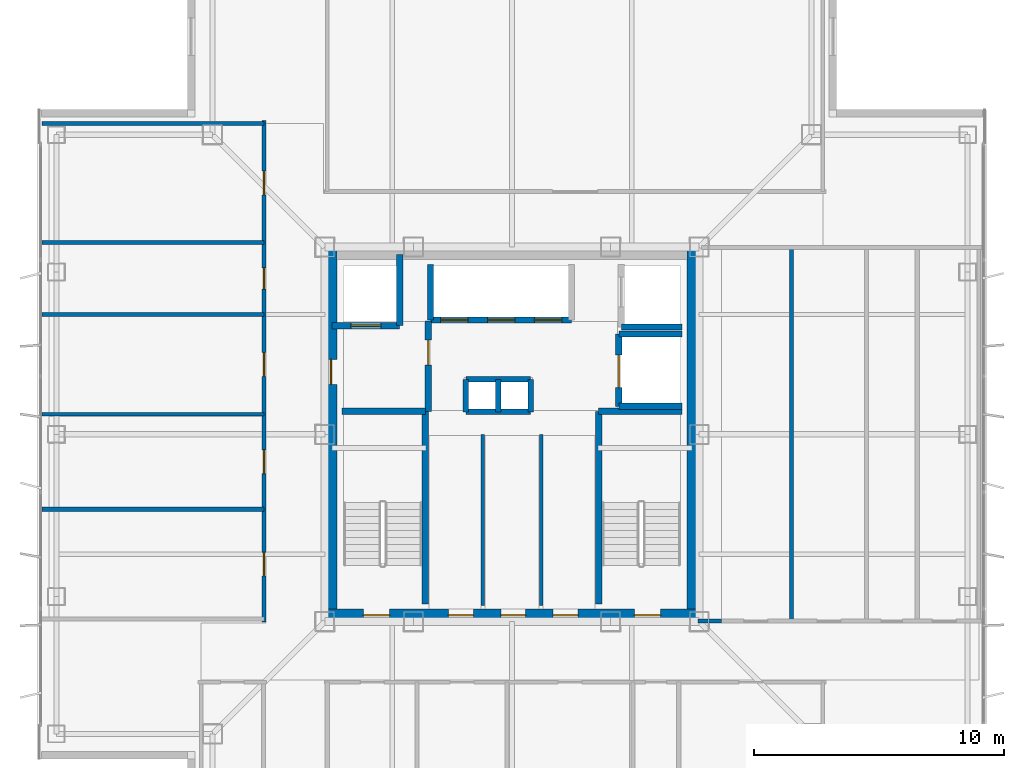
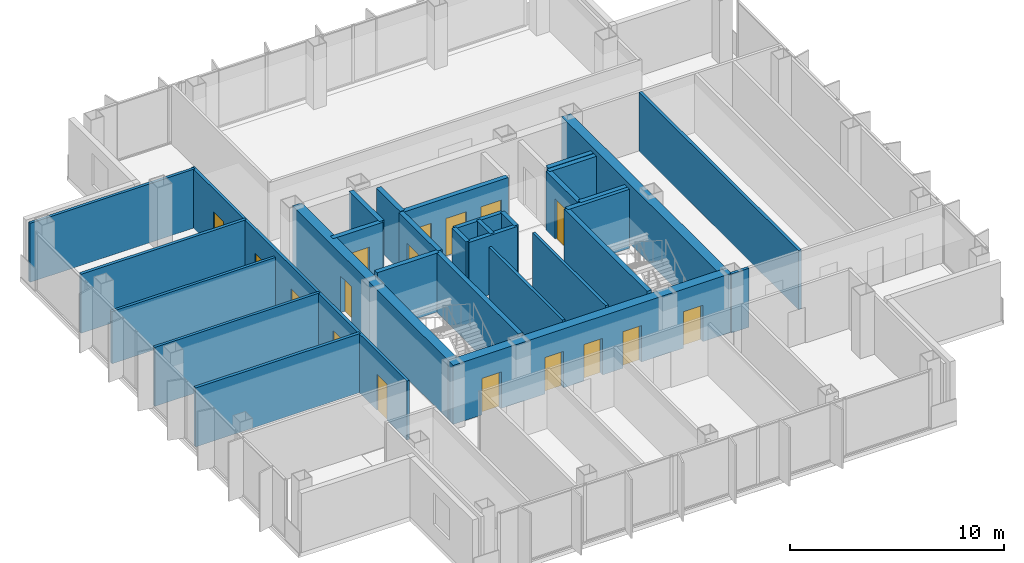
# One storey, part 8 of 15: 31 walls, 17 doors, 17 openings.
"""IFC4 building model written with IfcOpenShell, lengths in metres."""

from ifc_helpers import new_model, si_unit, direction, frame, frame_2d, origin, place, context, subcontext, project, spatial, rectangle, extrude, material, layer, layer_set, type_object, element, fill, save


model = new_model("IFC4")

# Units and contexts
model_context = context("Model", 3, precision=1e-05, world=origin(), true_north=direction((0.0, 1.0)))
body_context = subcontext(model_context, "Body", "Model", "MODEL_VIEW")
ifc_project = project(units=[si_unit("LENGTHUNIT", "METRE"), si_unit("AREAUNIT", "SQUARE_METRE"), si_unit("VOLUMEUNIT", "CUBIC_METRE"), si_unit("PLANEANGLEUNIT", "RADIAN"), si_unit("MASSUNIT", "GRAM", prefix="KILO")], contexts=[model_context])

# Site, building, storey
site_placement = place(None, origin())
site = spatial("IfcSite", under=ifc_project, at=site_placement, CompositionType="ELEMENT")
building_placement = place(site_placement, origin())
building = spatial("IfcBuilding", under=site, at=building_placement, Name="Trevonay Congress Spire", CompositionType="ELEMENT")
storey_placement = place(building_placement, frame((0.0, 0.0, 293.60009765625)))
storey = spatial("IfcBuildingStorey", under=building, at=storey_placement, Name="L77", CompositionType="ELEMENT", Elevation=293.60009765625)

# Wall, openings, doors
ifc_material_1 = material(Name="Concrete C50/60", Category="concrete")
ifc_layer_1 = layer(ifc_material_1, 0.5, Name="Concrete C50/60")
ifc_layer_set_1 = layer_set([ifc_layer_1], Name="Concrete C50/60")
wall_type_1 = type_object("IfcWallType", Name="WAL-CORE-500", PredefinedType="SHEAR", material=ifc_layer_set_1)
wall_1_placement = place(storey_placement, frame((-7.5, -7.25, 0.0), z_axis=(0.0, 0.0, 1.0), x_axis=(1.0, 0.0, 0.0)))
wall_1 = element("IfcWall", 1, at=wall_1_placement, inside=storey, type_object=wall_type_1, Name="L77 South structural core shear wall", PredefinedType="SHEAR", context=body_context, shape_type="SweptSolid", body=[
    extrude(rectangle(XDim=15.0, YDim=0.5, at=frame_2d((7.5, 0.0))), origin(), (0.0, 0.0, 1.0), 3.35986328125),
])
opening_1_placement = place(wall_1_placement, frame((1.550048828125, 0.0, 0.0)))
opening_1 = element("IfcOpeningElement", 2, at=opening_1_placement, cuts=wall_1, Name="Opening D05", PredefinedType="OPENING", context=body_context, shape_type="SweptSolid", body=[
    extrude(rectangle(XDim=1.050048828125, YDim=2.080078125, at=frame_2d((0.52490234375, 1.0400390625))), frame((0.0, 0.260009765625, 0.0), z_axis=(0.0, -1.0, 0.0), x_axis=(1.0, 0.0, 0.0)), (0.0, 0.0, 1.0), 0.52001953125),
])
opening_2_placement = place(wall_1_placement, frame((12.39990234375, 0.0, 0.0)))
opening_2 = element("IfcOpeningElement", 3, at=opening_2_placement, cuts=wall_1, Name="Opening D05", PredefinedType="OPENING", context=body_context, shape_type="SweptSolid", body=[
    extrude(rectangle(XDim=1.050048828125, YDim=2.080078125, at=frame_2d((0.52490234375, 1.0400390625))), frame((0.0, 0.260009765625, 0.0), z_axis=(0.0, -1.0, 0.0), x_axis=(1.0, 0.0, 0.0)), (0.0, 0.0, 1.0), 0.52001953125),
])
opening_3_placement = place(wall_1_placement, frame((4.949951171875, 0.0, 0.0)))
opening_3 = element("IfcOpeningElement", 4, at=opening_3_placement, cuts=wall_1, Name="Opening D06", PredefinedType="OPENING", context=body_context, shape_type="SweptSolid", body=[
    extrude(rectangle(XDim=1.0, YDim=2.080078125, at=frame_2d((0.5, 1.0400390625))), frame((0.0, 0.260009765625, 0.0), z_axis=(0.0, -1.0, 0.0), x_axis=(1.0, 0.0, 0.0)), (0.0, 0.0, 1.0), 0.52001953125),
])
opening_4_placement = place(wall_1_placement, frame((7.050048828125, 0.0, 0.0)))
opening_4 = element("IfcOpeningElement", 5, at=opening_4_placement, cuts=wall_1, Name="Opening D06", PredefinedType="OPENING", context=body_context, shape_type="SweptSolid", body=[
    extrude(rectangle(XDim=1.0, YDim=2.080078125, at=frame_2d((0.5, 1.0400390625))), frame((0.0, 0.260009765625, 0.0), z_axis=(0.0, -1.0, 0.0), x_axis=(1.0, 0.0, 0.0)), (0.0, 0.0, 1.0), 0.52001953125),
])
opening_5_placement = place(wall_1_placement, frame((9.14990234375, 0.0, 0.0)))
opening_5 = element("IfcOpeningElement", 6, at=opening_5_placement, cuts=wall_1, Name="Opening D06", PredefinedType="OPENING", context=body_context, shape_type="SweptSolid", body=[
    extrude(rectangle(XDim=1.0, YDim=2.080078125, at=frame_2d((0.5, 1.0400390625))), frame((0.0, 0.260009765625, 0.0), z_axis=(0.0, -1.0, 0.0), x_axis=(1.0, 0.0, 0.0)), (0.0, 0.0, 1.0), 0.52001953125),
])
ifc_material_2 = material(Name="Steel ASTM A572 Grade 50", Category="steel")
door_type_1 = type_object("IfcDoorType", Name="DOR-FIRE-100", OperationType="NOTDEFINED", PredefinedType="DOOR", material=ifc_material_2)
door_1_placement = place(opening_3_placement, origin())
door_1 = element("IfcDoor", 7, at=door_1_placement, inside=storey, type_object=door_type_1, Name="L77 South Core Room 1 Door", OperationType="SINGLE_SWING_LEFT", OverallHeight=2.080078125, OverallWidth=1.0, PredefinedType="DOOR", context=body_context, shape_type="SweptSolid", body=[
    extrude(rectangle(XDim=1.0, YDim=2.080078125, at=frame_2d((0.5, 1.0400390625))), frame((0.0, 0.02490234375, 0.0), z_axis=(0.0, -1.0, 0.0), x_axis=(1.0, 0.0, 0.0)), (0.0, 0.0, 1.0), 0.050048828125),
])
fill(opening_3, door_1)
door_2_placement = place(opening_4_placement, origin())
door_2 = element("IfcDoor", 8, at=door_2_placement, inside=storey, type_object=door_type_1, Name="L77 South Core Room 2 Door", OperationType="SINGLE_SWING_RIGHT", OverallHeight=2.080078125, OverallWidth=1.0, PredefinedType="DOOR", context=body_context, shape_type="SweptSolid", body=[
    extrude(rectangle(XDim=1.0, YDim=2.080078125, at=frame_2d((0.5, 1.0400390625))), frame((0.0, 0.02490234375, 0.0), z_axis=(0.0, -1.0, 0.0), x_axis=(1.0, 0.0, 0.0)), (0.0, 0.0, 1.0), 0.050048828125),
])
fill(opening_4, door_2)
door_3_placement = place(opening_5_placement, origin())
door_3 = element("IfcDoor", 9, at=door_3_placement, inside=storey, type_object=door_type_1, Name="L77 South Core Room 3 Door", OperationType="SINGLE_SWING_LEFT", OverallHeight=2.080078125, OverallWidth=1.0, PredefinedType="DOOR", context=body_context, shape_type="SweptSolid", body=[
    extrude(rectangle(XDim=1.0, YDim=2.080078125, at=frame_2d((0.5, 1.0400390625))), frame((0.0, 0.02490234375, 0.0), z_axis=(0.0, -1.0, 0.0), x_axis=(1.0, 0.0, 0.0)), (0.0, 0.0, 1.0), 0.050048828125),
])
fill(opening_5, door_3)
door_type_2 = type_object("IfcDoorType", Name="DOR-STAIR-110", OperationType="NOTDEFINED", PredefinedType="DOOR", material=ifc_material_2)
door_4_placement = place(opening_1_placement, origin())
door_4 = element("IfcDoor", 10, at=door_4_placement, inside=storey, type_object=door_type_2, Name="L77 Protected Stair ST-1 Door", OperationType="SINGLE_SWING_RIGHT", OverallHeight=2.080078125, OverallWidth=1.050048828125, PredefinedType="DOOR", context=body_context, shape_type="SweptSolid", body=[
    extrude(rectangle(XDim=1.050048828125, YDim=2.080078125, at=frame_2d((0.52490234375, 1.0400390625))), frame((0.0, 0.02490234375, 0.0), z_axis=(0.0, -1.0, 0.0), x_axis=(1.0, 0.0, 0.0)), (0.0, 0.0, 1.0), 0.050048828125),
])
fill(opening_1, door_4)
door_5_placement = place(opening_2_placement, origin())
door_5 = element("IfcDoor", 11, at=door_5_placement, inside=storey, type_object=door_type_2, Name="L77 Protected Stair ST-2 Door", OperationType="SINGLE_SWING_LEFT", OverallHeight=2.080078125, OverallWidth=1.050048828125, PredefinedType="DOOR", context=body_context, shape_type="SweptSolid", body=[
    extrude(rectangle(XDim=1.050048828125, YDim=2.080078125, at=frame_2d((0.52490234375, 1.0400390625))), frame((0.0, 0.02490234375, 0.0), z_axis=(0.0, -1.0, 0.0), x_axis=(1.0, 0.0, 0.0)), (0.0, 0.0, 1.0), 0.050048828125),
])
fill(opening_2, door_5)

# Wall, opening, door
wall_2_placement = place(storey_placement, frame((-7.25, -7.5, 0.0), z_axis=(0.0, 0.0, 1.0), x_axis=(0.0, 1.0, 0.0)))
wall_2 = element("IfcWall", 12, at=wall_2_placement, inside=storey, type_object=wall_type_1, Name="L77 West structural core shear wall", PredefinedType="SHEAR", context=body_context, shape_type="SweptSolid", body=[
    extrude(rectangle(XDim=15.0, YDim=0.5, at=frame_2d((7.5, 0.0))), origin(), (0.0, 0.0, 1.0), 3.35986328125),
])
opening_6_placement = place(wall_2_placement, frame((9.5, 0.0, 0.0)))
opening_6 = element("IfcOpeningElement", 13, at=opening_6_placement, cuts=wall_2, Name="Opening D06", PredefinedType="OPENING", context=body_context, shape_type="SweptSolid", body=[
    extrude(rectangle(XDim=1.0, YDim=2.080078125, at=frame_2d((0.5, 1.0400390625))), frame((0.0, 0.260009765625, 0.0), z_axis=(0.0, -1.0, 0.0), x_axis=(1.0, 0.0, 0.0)), (0.0, 0.0, 1.0), 0.52001953125),
])
door_6_placement = place(opening_6_placement, origin())
door_6 = element("IfcDoor", 14, at=door_6_placement, inside=storey, type_object=door_type_1, Name="L77 Firefighting Lift Lobby West Corridor Door", OperationType="SINGLE_SWING_RIGHT", OverallHeight=2.080078125, OverallWidth=1.0, PredefinedType="DOOR", context=body_context, shape_type="SweptSolid", body=[
    extrude(rectangle(XDim=1.0, YDim=2.080078125, at=frame_2d((0.5, 1.0400390625))), frame((0.0, 0.02490234375, 0.0), z_axis=(0.0, -1.0, 0.0), x_axis=(1.0, 0.0, 0.0)), (0.0, 0.0, 1.0), 0.050048828125),
])
fill(opening_6, door_6)

# Wall
wall_3_placement = place(storey_placement, frame((7.25, -7.5, 0.0), z_axis=(0.0, 0.0, 1.0), x_axis=(0.0, 1.0, 0.0)))
element("IfcWall", 15, at=wall_3_placement, inside=storey, type_object=wall_type_1, Name="L77 East structural core shear wall", PredefinedType="SHEAR", context=body_context, shape_type="SweptSolid", body=[
    extrude(rectangle(XDim=15.0, YDim=0.5, at=frame_2d((7.5, 0.0))), origin(), (0.0, 0.0, 1.0), 3.35986328125),
])

# Wall, openings, doors
ifc_material_3 = material(Name="Concrete C40/50", Category="concrete")
ifc_layer_2 = layer(ifc_material_3, 0.14990234375, Name="Concrete C40/50")
ifc_layer_set_2 = layer_set([ifc_layer_2], Name="Concrete C40/50")
wall_type_2 = type_object("IfcWallType", Name="WAL-CORR-150", PredefinedType="PARTITIONING", material=ifc_layer_set_2)
wall_4_placement = place(storey_placement, frame((-9.929931640625, -7.52001953125, 0.0), z_axis=(0.0, 0.0, 1.0), x_axis=(0.0, 1.0, 0.0)))
wall_4 = element("IfcWall", 16, at=wall_4_placement, inside=storey, type_object=wall_type_2, Name="L77 interior wall WP-L77NW-COR", PredefinedType="PARTITIONING", context=body_context, shape_type="SweptSolid", body=[
    extrude(rectangle(XDim=20.090087890625, YDim=0.14990234375, at=frame_2d((10.044921875, 0.0))), origin(), (0.0, 0.0, 1.0), 3.35986328125),
])
opening_7_placement = place(wall_4_placement, frame((1.844970703125, 0.0, 0.0)))
opening_7 = element("IfcOpeningElement", 17, at=opening_7_placement, cuts=wall_4, Name="Opening D07", PredefinedType="OPENING", context=body_context, shape_type="SweptSolid", body=[
    extrude(rectangle(XDim=0.949951171875, YDim=2.06005859375, at=frame_2d((0.47509765625, 1.030029296875))), frame((0.0, 0.0849609375, 0.0), z_axis=(0.0, -1.0, 0.0), x_axis=(1.0, 0.0, 0.0)), (0.0, 0.0, 1.0), 0.169921875),
])
opening_8_placement = place(wall_4_placement, frame((5.945068359375, 0.0, 0.0)))
opening_8 = element("IfcOpeningElement", 18, at=opening_8_placement, cuts=wall_4, Name="Opening D07", PredefinedType="OPENING", context=body_context, shape_type="SweptSolid", body=[
    extrude(rectangle(XDim=0.949951171875, YDim=2.06005859375, at=frame_2d((0.47509765625, 1.030029296875))), frame((0.0, 0.0849609375, 0.0), z_axis=(0.0, -1.0, 0.0), x_axis=(1.0, 0.0, 0.0)), (0.0, 0.0, 1.0), 0.169921875),
])
opening_9_placement = place(wall_4_placement, frame((9.844970703125, 0.0, 0.0)))
opening_9 = element("IfcOpeningElement", 19, at=opening_9_placement, cuts=wall_4, Name="Opening D07", PredefinedType="OPENING", context=body_context, shape_type="SweptSolid", body=[
    extrude(rectangle(XDim=0.949951171875, YDim=2.06005859375, at=frame_2d((0.47509765625, 1.030029296875))), frame((0.0, 0.0849609375, 0.0), z_axis=(0.0, -1.0, 0.0), x_axis=(1.0, 0.0, 0.0)), (0.0, 0.0, 1.0), 0.169921875),
])
opening_10_placement = place(wall_4_placement, frame((13.3349609375, 0.0, 0.0)))
opening_10 = element("IfcOpeningElement", 20, at=opening_10_placement, cuts=wall_4, Name="Opening D10", PredefinedType="OPENING", context=body_context, shape_type="SweptSolid", body=[
    extrude(rectangle(XDim=0.85009765625, YDim=2.050048828125, at=frame_2d((0.425048828125, 1.02490234375))), frame((0.0, 0.0849609375, 0.0), z_axis=(0.0, -1.0, 0.0), x_axis=(1.0, 0.0, 0.0)), (0.0, 0.0, 1.0), 0.169921875),
])
opening_11_placement = place(wall_4_placement, frame((17.110107421875, 0.0, 0.0)))
opening_11 = element("IfcOpeningElement", 21, at=opening_11_placement, cuts=wall_4, Name="Opening D07", PredefinedType="OPENING", context=body_context, shape_type="SweptSolid", body=[
    extrude(rectangle(XDim=0.949951171875, YDim=2.06005859375, at=frame_2d((0.47509765625, 1.030029296875))), frame((0.0, 0.0849609375, 0.0), z_axis=(0.0, -1.0, 0.0), x_axis=(1.0, 0.0, 0.0)), (0.0, 0.0, 1.0), 0.169921875),
])
ifc_material_4 = material(Name="Pale Anodised Aluminium EN AW-6063-T6", Category="aluminium")
door_type_3 = type_object("IfcDoorType", Name="DOR-OFFICE-95", OperationType="NOTDEFINED", PredefinedType="DOOR", material=ifc_material_4)
door_7_placement = place(opening_7_placement, origin())
door_7 = element("IfcDoor", 22, at=door_7_placement, inside=storey, type_object=door_type_3, Name="L77 Private Chef Table Dining Door", OperationType="SINGLE_SWING_LEFT", OverallHeight=2.06005859375, OverallWidth=0.949951171875, PredefinedType="DOOR", context=body_context, shape_type="SweptSolid", body=[
    extrude(rectangle(XDim=0.949951171875, YDim=2.06005859375, at=frame_2d((0.47509765625, 1.030029296875))), frame((0.0, 0.02490234375, 0.0), z_axis=(0.0, -1.0, 0.0), x_axis=(1.0, 0.0, 0.0)), (0.0, 0.0, 1.0), 0.050048828125),
])
fill(opening_7, door_7)
door_8_placement = place(opening_8_placement, origin())
door_8 = element("IfcDoor", 23, at=door_8_placement, inside=storey, type_object=door_type_3, Name="L77 Champagne Aperitif Bar Door", OperationType="SINGLE_SWING_RIGHT", OverallHeight=2.06005859375, OverallWidth=0.949951171875, PredefinedType="DOOR", context=body_context, shape_type="SweptSolid", body=[
    extrude(rectangle(XDim=0.949951171875, YDim=2.06005859375, at=frame_2d((0.47509765625, 1.030029296875))), frame((0.0, 0.02490234375, 0.0), z_axis=(0.0, -1.0, 0.0), x_axis=(1.0, 0.0, 0.0)), (0.0, 0.0, 1.0), 0.050048828125),
])
fill(opening_8, door_8)
door_9_placement = place(opening_9_placement, origin())
door_9 = element("IfcDoor", 24, at=door_9_placement, inside=storey, type_object=door_type_3, Name="L77 Cold Larder Kitchen Door", OperationType="SINGLE_SWING_LEFT", OverallHeight=2.06005859375, OverallWidth=0.949951171875, PredefinedType="DOOR", context=body_context, shape_type="SweptSolid", body=[
    extrude(rectangle(XDim=0.949951171875, YDim=2.06005859375, at=frame_2d((0.47509765625, 1.030029296875))), frame((0.0, 0.02490234375, 0.0), z_axis=(0.0, -1.0, 0.0), x_axis=(1.0, 0.0, 0.0)), (0.0, 0.0, 1.0), 0.050048828125),
])
fill(opening_9, door_9)
door_10_placement = place(opening_11_placement, origin())
door_10 = element("IfcDoor", 25, at=door_10_placement, inside=storey, type_object=door_type_3, Name="L77 Floor Supplies and Copy Room Door", OperationType="SINGLE_SWING_LEFT", OverallHeight=2.06005859375, OverallWidth=0.949951171875, PredefinedType="DOOR", context=body_context, shape_type="SweptSolid", body=[
    extrude(rectangle(XDim=0.949951171875, YDim=2.06005859375, at=frame_2d((0.47509765625, 1.030029296875))), frame((0.0, 0.02490234375, 0.0), z_axis=(0.0, -1.0, 0.0), x_axis=(1.0, 0.0, 0.0)), (0.0, 0.0, 1.0), 0.050048828125),
])
fill(opening_11, door_10)
door_type_4 = type_object("IfcDoorType", Name="DOR-WC-85", OperationType="NOTDEFINED", PredefinedType="DOOR", material=ifc_material_4)
door_11_placement = place(opening_10_placement, origin())
door_11 = element("IfcDoor", 26, at=door_11_placement, inside=storey, type_object=door_type_4, Name="L77 Male Restroom WC Door", OperationType="SINGLE_SWING_RIGHT", OverallHeight=2.050048828125, OverallWidth=0.85009765625, PredefinedType="DOOR", context=body_context, shape_type="SweptSolid", body=[
    extrude(rectangle(XDim=0.85009765625, YDim=2.050048828125, at=frame_2d((0.425048828125, 1.02490234375))), frame((0.0, 0.02490234375, 0.0), z_axis=(0.0, -1.0, 0.0), x_axis=(1.0, 0.0, 0.0)), (0.0, 0.0, 1.0), 0.050048828125),
])
fill(opening_10, door_11)

# Walls
wall_5_placement = place(storey_placement, frame((7.449951171875, -7.47998046875, 0.0), z_axis=(0.0, 0.0, 1.0), x_axis=(1.0, 0.0, 0.0)))
element("IfcWall", 27, at=wall_5_placement, inside=storey, type_object=wall_type_2, Name="L77 interior wall WP-L77E-STUB", PredefinedType="PARTITIONING", context=body_context, shape_type="SweptSolid", body=[
    extrude(rectangle(XDim=0.949951171875, YDim=0.14990234375, at=frame_2d((0.47509765625, 0.0))), origin(), (0.0, 0.0, 1.0), 3.35986328125),
])
ifc_layer_3 = layer(ifc_material_3, 0.14990234375, Name="Concrete C40/50")
ifc_layer_set_3 = layer_set([ifc_layer_3], Name="Concrete C40/50")
wall_type_3 = type_object("IfcWallType", Name="WAL-PART-150", PredefinedType="PARTITIONING", material=ifc_layer_set_3)
for number, where, z_axis, x_axis, name in (
    (28, (-1.169921875, -6.85009765625, 0.0), (0.0, 0.0, 1.0), (0.0, 1.0, 0.0), "L77 interior wall CW-F2A-L77"),
    (29, (1.169921875, -6.85009765625, 0.0), (0.0, 0.0, 1.0), (0.0, 1.0, 0.0), "L77 interior wall CW-F2B-L77"),
):
    element("IfcWall", number, at=place(storey_placement, frame(where, z_axis=z_axis, x_axis=x_axis)), inside=storey, type_object=wall_type_3, Name=name, PredefinedType="PARTITIONING", context=body_context, shape_type="SweptSolid", body=[
        extrude(rectangle(XDim=6.85009765625, YDim=0.14990234375, at=frame_2d((3.425048828125, 0.0))), origin(), (0.0, 0.0, 1.0), 3.35986328125),
    ])
wall_6_placement = place(storey_placement, frame((-18.820068359375, 0.800048828125, 0.0), z_axis=(0.0, 0.0, 1.0), x_axis=(1.0, 0.0, 0.0)))
element("IfcWall", 30, at=wall_6_placement, inside=storey, type_object=wall_type_3, Name="L77 interior wall WP-L77NW-DIV3", PredefinedType="PARTITIONING", context=body_context, shape_type="SweptSolid", body=[
    extrude(rectangle(XDim=8.89013671875, YDim=0.14990234375, at=frame_2d((4.445068359375, 0.0))), origin(), (0.0, 0.0, 1.0), 3.35986328125),
])
wall_7_placement = place(storey_placement, frame((-18.820068359375, 4.800048828125, 0.0), z_axis=(0.0, 0.0, 1.0), x_axis=(1.0, 0.0, 0.0)))
element("IfcWall", 31, at=wall_7_placement, inside=storey, type_object=wall_type_3, Name="L77 interior wall WP-L77NW-DIV4", PredefinedType="PARTITIONING", context=body_context, shape_type="SweptSolid", body=[
    extrude(rectangle(XDim=8.89013671875, YDim=0.14990234375, at=frame_2d((4.445068359375, 0.0))), origin(), (0.0, 0.0, 1.0), 2.976806640625),
])
wall_8_placement = place(storey_placement, frame((-18.820068359375, 12.449951171875, 0.0), z_axis=(0.0, 0.0, 1.0), x_axis=(1.0, 0.0, 0.0)))
element("IfcWall", 32, at=wall_8_placement, inside=storey, type_object=wall_type_3, Name="L77 interior wall WP-L77NW-DIV5", PredefinedType="PARTITIONING", context=body_context, shape_type="SweptSolid", body=[
    extrude(rectangle(XDim=8.89013671875, YDim=0.14990234375, at=frame_2d((4.445068359375, 0.0))), origin(), (0.0, 0.0, 1.0), 3.35986328125),
])
ifc_layer_4 = layer(ifc_material_3, 0.219970703125, Name="Concrete C40/50")
ifc_layer_set_4 = layer_set([ifc_layer_4], Name="Concrete C40/50")
wall_type_4 = type_object("IfcWallType", Name="WAL-SHAFT-220", PredefinedType="PARTITIONING", material=ifc_layer_set_4)
for number, where, z_axis, x_axis, name in (
    (33, (-1.85009765625, 2.199951171875, 0.0), (0.0, 0.0, 1.0), (1.0, 0.0, 0.0), "L77 interior shaft wall WSH-L77-RSR-N"),
    (34, (-1.85009765625, 0.89990234375, 0.0), (0.0, 0.0, 1.0), (1.0, 0.0, 0.0), "L77 interior shaft wall WSH-L77-RSR-S"),
):
    element("IfcWall", number, at=place(storey_placement, frame(where, z_axis=z_axis, x_axis=x_axis)), inside=storey, type_object=wall_type_4, Name=name, PredefinedType="PARTITIONING", context=body_context, shape_type="SweptSolid", body=[
        extrude(rectangle(XDim=2.60009765625, YDim=0.219970703125, at=frame_2d((1.300048828125, 0.0))), origin(), (0.0, 0.0, 1.0), 3.35986328125),
    ])
for number, where, z_axis, x_axis, name in (
    (35, (-0.550048828125, 0.89990234375, 0.0), (0.0, 0.0, 1.0), (0.0, 1.0, 0.0), "L77 interior shaft wall WSH-L77-RSR-M"),
    (36, (0.75, 0.89990234375, 0.0), (0.0, 0.0, 1.0), (0.0, 1.0, 0.0), "L77 interior shaft wall WSH-L77-RSR-E"),
    (37, (-1.85009765625, 0.89990234375, 0.0), (0.0, 0.0, 1.0), (0.0, 1.0, 0.0), "L77 interior shaft wall WSH-L77-RSR-W"),
):
    element("IfcWall", number, at=place(storey_placement, frame(where, z_axis=z_axis, x_axis=x_axis)), inside=storey, type_object=wall_type_4, Name=name, PredefinedType="PARTITIONING", context=body_context, shape_type="SweptSolid", body=[
        extrude(rectangle(XDim=1.300048828125, YDim=0.219970703125, at=frame_2d((0.64990234375, 0.0))), origin(), (0.0, 0.0, 1.0), 3.35986328125),
    ])

# Wall, openings, doors
ifc_layer_5 = layer(ifc_material_3, 0.25, Name="Concrete C40/50")
ifc_layer_set_5 = layer_set([ifc_layer_5], Name="Concrete C40/50")
wall_type_5 = type_object("IfcWallType", Name="WAL-SHAFT-250", PredefinedType="SHEAR", material=ifc_layer_set_5)
wall_9_placement = place(storey_placement, frame((-3.260009765625, 4.580078125, 0.0), z_axis=(0.0, 0.0, 1.0), x_axis=(1.0, 0.0, 0.0)))
wall_9 = element("IfcWall", 38, at=wall_9_placement, inside=storey, type_object=wall_type_5, Name="L77 interior shaft wall WSH-L77-B3-S", PredefinedType="SHEAR", context=body_context, shape_type="SweptSolid", body=[
    extrude(rectangle(XDim=5.639892578125, YDim=0.25, at=frame_2d((2.81982421875, 0.0))), origin(), (0.0, 0.0, 1.0), 3.35986328125),
])
opening_12_placement = place(wall_9_placement, frame((0.39990234375, 0.0, 0.0)))
opening_12 = element("IfcOpeningElement", 39, at=opening_12_placement, cuts=wall_9, Name="Opening LD03", PredefinedType="OPENING", context=body_context, shape_type="SweptSolid", body=[
    extrude(rectangle(XDim=1.10009765625, YDim=2.199951171875, at=frame_2d((0.550048828125, 1.10009765625))), frame((0.0, 0.135009765625, 0.0), z_axis=(0.0, -1.0, 0.0), x_axis=(1.0, 0.0, 0.0)), (0.0, 0.0, 1.0), 0.27001953125),
])
opening_13_placement = place(wall_9_placement, frame((2.280029296875, 0.0, 0.0)))
opening_13 = element("IfcOpeningElement", 40, at=opening_13_placement, cuts=wall_9, Name="Opening LD03", PredefinedType="OPENING", context=body_context, shape_type="SweptSolid", body=[
    extrude(rectangle(XDim=1.10009765625, YDim=2.199951171875, at=frame_2d((0.550048828125, 1.10009765625))), frame((0.0, 0.135009765625, 0.0), z_axis=(0.0, -1.0, 0.0), x_axis=(1.0, 0.0, 0.0)), (0.0, 0.0, 1.0), 0.27001953125),
])
opening_14_placement = place(wall_9_placement, frame((4.159912109375, 0.0, 0.0)))
opening_14 = element("IfcOpeningElement", 41, at=opening_14_placement, cuts=wall_9, Name="Opening LD03", PredefinedType="OPENING", context=body_context, shape_type="SweptSolid", body=[
    extrude(rectangle(XDim=1.10009765625, YDim=2.199951171875, at=frame_2d((0.550048828125, 1.10009765625))), frame((0.0, 0.135009765625, 0.0), z_axis=(0.0, -1.0, 0.0), x_axis=(1.0, 0.0, 0.0)), (0.0, 0.0, 1.0), 0.27001953125),
])
door_type_5 = type_object("IfcDoorType", Name="DOR-LIFT-LD03", OperationType="DOUBLE_DOOR_SLIDING", PredefinedType="DOOR", material=ifc_material_4)
door_12_placement = place(opening_12_placement, origin())
door_12 = element("IfcDoor", 42, at=door_12_placement, inside=storey, type_object=door_type_5, Name="L77 Passenger lift PL-07 landing door", OperationType="DOUBLE_DOOR_SLIDING", OverallHeight=2.199951171875, OverallWidth=1.10009765625, PredefinedType="DOOR", context=body_context, shape_type="SweptSolid", body=[
    extrude(rectangle(XDim=1.10009765625, YDim=2.199951171875, at=frame_2d((0.550048828125, 1.10009765625))), frame((0.0, 0.02490234375, 0.0), z_axis=(0.0, -1.0, 0.0), x_axis=(1.0, 0.0, 0.0)), (0.0, 0.0, 1.0), 0.050048828125),
])
fill(opening_12, door_12)
door_13_placement = place(opening_13_placement, origin())
door_13 = element("IfcDoor", 43, at=door_13_placement, inside=storey, type_object=door_type_5, Name="L77 Passenger lift PL-08 landing door", OperationType="DOUBLE_DOOR_SLIDING", OverallHeight=2.199951171875, OverallWidth=1.10009765625, PredefinedType="DOOR", context=body_context, shape_type="SweptSolid", body=[
    extrude(rectangle(XDim=1.10009765625, YDim=2.199951171875, at=frame_2d((0.550048828125, 1.10009765625))), frame((0.0, 0.02490234375, 0.0), z_axis=(0.0, -1.0, 0.0), x_axis=(1.0, 0.0, 0.0)), (0.0, 0.0, 1.0), 0.050048828125),
])
fill(opening_13, door_13)
door_14_placement = place(opening_14_placement, origin())
door_14 = element("IfcDoor", 44, at=door_14_placement, inside=storey, type_object=door_type_5, Name="L77 Passenger lift PL-09 landing door", OperationType="DOUBLE_DOOR_SLIDING", OverallHeight=2.199951171875, OverallWidth=1.10009765625, PredefinedType="DOOR", context=body_context, shape_type="SweptSolid", body=[
    extrude(rectangle(XDim=1.10009765625, YDim=2.199951171875, at=frame_2d((0.550048828125, 1.10009765625))), frame((0.0, 0.02490234375, 0.0), z_axis=(0.0, -1.0, 0.0), x_axis=(1.0, 0.0, 0.0)), (0.0, 0.0, 1.0), 0.050048828125),
])
fill(opening_14, door_14)

# Wall
wall_10_placement = place(storey_placement, frame((-3.260009765625, 4.580078125, 0.0), z_axis=(0.0, 0.0, 1.0), x_axis=(0.0, 1.0, 0.0)))
element("IfcWall", 45, at=wall_10_placement, inside=storey, type_object=wall_type_5, Name="L77 interior shaft wall WSH-L77-B3-W", PredefinedType="SHEAR", context=body_context, shape_type="SweptSolid", body=[
    extrude(rectangle(XDim=2.219970703125, YDim=0.25, at=frame_2d((1.10986328125, 0.0))), origin(), (0.0, 0.0, 1.0), 3.35986328125),
])

# Wall, opening, door
wall_11_placement = place(storey_placement, frame((-7.199951171875, 4.35009765625, 0.0), z_axis=(0.0, 0.0, 1.0), x_axis=(1.0, 0.0, 0.0)))
wall_11 = element("IfcWall", 46, at=wall_11_placement, inside=storey, type_object=wall_type_5, Name="L77 interior shaft wall WSH-L77-FF1-S", PredefinedType="SHEAR", context=body_context, shape_type="SweptSolid", body=[
    extrude(rectangle(XDim=2.699951171875, YDim=0.25, at=frame_2d((1.35009765625, 0.0))), origin(), (0.0, 0.0, 1.0), 3.35986328125),
])
opening_15_placement = place(wall_11_placement, frame((0.75, 0.0, 0.0)))
opening_15 = element("IfcOpeningElement", 47, at=opening_15_placement, cuts=wall_11, Name="Opening LD04", PredefinedType="OPENING", context=body_context, shape_type="SweptSolid", body=[
    extrude(rectangle(XDim=1.199951171875, YDim=2.199951171875, at=frame_2d((0.60009765625, 1.10009765625))), frame((0.0, 0.135009765625, 0.0), z_axis=(0.0, -1.0, 0.0), x_axis=(1.0, 0.0, 0.0)), (0.0, 0.0, 1.0), 0.27001953125),
])
door_type_6 = type_object("IfcDoorType", Name="DOR-LIFT-LD04", OperationType="DOUBLE_DOOR_SLIDING", PredefinedType="DOOR", material=ifc_material_2)
door_15_placement = place(opening_15_placement, origin())
door_15 = element("IfcDoor", 48, at=door_15_placement, inside=storey, type_object=door_type_6, Name="L77 Firefighting lift FFL-01 landing door", OperationType="DOUBLE_DOOR_SLIDING", OverallHeight=2.199951171875, OverallWidth=1.199951171875, PredefinedType="DOOR", context=body_context, shape_type="SweptSolid", body=[
    extrude(rectangle(XDim=1.199951171875, YDim=2.199951171875, at=frame_2d((0.60009765625, 1.10009765625))), frame((0.0, 0.02490234375, 0.0), z_axis=(0.0, -1.0, 0.0), x_axis=(1.0, 0.0, 0.0)), (0.0, 0.0, 1.0), 0.050048828125),
])
fill(opening_15, door_15)

# Walls
wall_12_placement = place(storey_placement, frame((-4.5, 4.35009765625, 0.0), z_axis=(0.0, 0.0, 1.0), x_axis=(0.0, 1.0, 0.0)))
element("IfcWall", 49, at=wall_12_placement, inside=storey, type_object=wall_type_5, Name="L77 interior shaft wall WSH-L77-FF1-E", PredefinedType="SHEAR", context=body_context, shape_type="SweptSolid", body=[
    extrude(rectangle(XDim=2.849853515625, YDim=0.25, at=frame_2d((1.4248046875, 0.0))), origin(), (0.0, 0.0, 1.0), 3.35986328125),
])
wall_13_placement = place(storey_placement, frame((4.3798828125, 4.300048828125, 0.0), z_axis=(0.0, 0.0, 1.0), x_axis=(1.0, 0.0, 0.0)))
element("IfcWall", 50, at=wall_13_placement, inside=storey, type_object=wall_type_5, Name="L77 interior shaft wall WSH-L77-FF2-S", PredefinedType="SHEAR", context=body_context, shape_type="SweptSolid", body=[
    extrude(rectangle(XDim=2.420166015625, YDim=0.25, at=frame_2d((1.2099609375, 0.0))), origin(), (0.0, 0.0, 1.0), 3.35986328125),
])

# Wall, opening, door
wall_14_placement = place(storey_placement, frame((4.280029296875, 1.1201171875, 0.0), z_axis=(0.0, 0.0, 1.0), x_axis=(0.0, 1.0, 0.0)))
wall_14 = element("IfcWall", 51, at=wall_14_placement, inside=storey, type_object=wall_type_5, Name="L77 interior shaft wall WSH-L77-SV-W", PredefinedType="SHEAR", context=body_context, shape_type="SweptSolid", body=[
    extrude(rectangle(XDim=2.89990234375, YDim=0.25, at=frame_2d((1.449951171875, 0.0))), origin(), (0.0, 0.0, 1.0), 3.35986328125),
])
opening_16_placement = place(wall_14_placement, frame((0.75, 0.0, 0.0)))
opening_16 = element("IfcOpeningElement", 52, at=opening_16_placement, cuts=wall_14, Name="Opening LD05", PredefinedType="OPENING", context=body_context, shape_type="SweptSolid", body=[
    extrude(rectangle(XDim=1.300048828125, YDim=2.300048828125, at=frame_2d((0.64990234375, 1.14990234375))), frame((0.0, 0.135009765625, 0.0), z_axis=(0.0, -1.0, 0.0), x_axis=(1.0, 0.0, 0.0)), (0.0, 0.0, 1.0), 0.27001953125),
])
door_type_7 = type_object("IfcDoorType", Name="DOR-LIFT-LD05", OperationType="DOUBLE_DOOR_SLIDING", PredefinedType="DOOR", material=ifc_material_2)
door_16_placement = place(opening_16_placement, origin())
door_16 = element("IfcDoor", 53, at=door_16_placement, inside=storey, type_object=door_type_7, Name="L77 Goods lift SVL-01 landing door", OperationType="DOUBLE_DOOR_SLIDING", OverallHeight=2.300048828125, OverallWidth=1.300048828125, PredefinedType="DOOR", context=body_context, shape_type="SweptSolid", body=[
    extrude(rectangle(XDim=1.300048828125, YDim=2.300048828125, at=frame_2d((0.64990234375, 1.14990234375))), frame((0.0, 0.02490234375, 0.0), z_axis=(0.0, -1.0, 0.0), x_axis=(1.0, 0.0, 0.0)), (0.0, 0.0, 1.0), 0.050048828125),
])
fill(opening_16, door_16)

# Walls
for number, where, z_axis, x_axis, name in (
    (54, (4.280029296875, 1.1201171875, 0.0), (0.0, 0.0, 1.0), (1.0, 0.0, 0.0), "L77 interior shaft wall WSH-L77-SV-S"),
    (55, (4.280029296875, 4.02001953125, 0.0), (0.0, 0.0, 1.0), (1.0, 0.0, 0.0), "L77 interior shaft wall WSH-L77-SV-N"),
):
    element("IfcWall", number, at=place(storey_placement, frame(where, z_axis=z_axis, x_axis=x_axis)), inside=storey, type_object=wall_type_5, Name=name, PredefinedType="SHEAR", context=body_context, shape_type="SweptSolid", body=[
        extrude(rectangle(XDim=2.52001953125, YDim=0.25, at=frame_2d((1.260009765625, 0.0))), origin(), (0.0, 0.0, 1.0), 3.35986328125),
    ])

# Wall, opening, door
wall_15_placement = place(storey_placement, frame((-3.35009765625, 0.919921875, 0.0), z_axis=(0.0, 0.0, 1.0), x_axis=(0.0, 1.0, 0.0)))
wall_15 = element("IfcWall", 56, at=wall_15_placement, inside=storey, type_object=wall_type_5, Name="L77 interior wall CW-FFLW-E-L77", PredefinedType="SHEAR", context=body_context, shape_type="SweptSolid", body=[
    extrude(rectangle(XDim=3.6201171875, YDim=0.25, at=frame_2d((1.81005859375, 0.0))), origin(), (0.0, 0.0, 1.0), 3.35986328125),
])
opening_17_placement = place(wall_15_placement, frame((1.85009765625, 0.0, 0.0)))
opening_17 = element("IfcOpeningElement", 57, at=opening_17_placement, cuts=wall_15, Name="Opening D06", PredefinedType="OPENING", context=body_context, shape_type="SweptSolid", body=[
    extrude(rectangle(XDim=1.0, YDim=2.080078125, at=frame_2d((0.5, 1.0400390625))), frame((0.0, 0.135009765625, 0.0), z_axis=(0.0, -1.0, 0.0), x_axis=(1.0, 0.0, 0.0)), (0.0, 0.0, 1.0), 0.27001953125),
])
door_17_placement = place(opening_17_placement, origin())
door_17 = element("IfcDoor", 58, at=door_17_placement, inside=storey, type_object=door_type_1, Name="L77 Firefighting Core Lobby Transfer Door", OperationType="SINGLE_SWING_RIGHT", OverallHeight=2.080078125, OverallWidth=1.0, PredefinedType="DOOR", context=body_context, shape_type="SweptSolid", body=[
    extrude(rectangle(XDim=1.0, YDim=2.080078125, at=frame_2d((0.5, 1.0400390625))), frame((0.0, 0.02490234375, 0.0), z_axis=(0.0, -1.0, 0.0), x_axis=(1.0, 0.0, 0.0)), (0.0, 0.0, 1.0), 0.050048828125),
])
fill(opening_17, door_17)

# Walls
ifc_layer_6 = layer(ifc_material_3, 0.25, Name="Concrete C40/50")
ifc_layer_set_6 = layer_set([ifc_layer_6], Name="Concrete C40/50")
wall_type_6 = type_object("IfcWallType", Name="WAL-SHAFT-LB-250", PredefinedType="SHEAR", material=ifc_layer_set_6)
wall_16_placement = place(storey_placement, frame((-3.469970703125, -6.800048828125, 0.0), z_axis=(0.0, 0.0, 1.0), x_axis=(0.0, 1.0, 0.0)))
element("IfcWall", 59, at=wall_16_placement, inside=storey, type_object=wall_type_6, Name="L77 interior shaft wall WSH-L77-ST1-E", PredefinedType="SHEAR", context=body_context, shape_type="SweptSolid", body=[
    extrude(rectangle(XDim=7.719970703125, YDim=0.25, at=frame_2d((3.85986328125, 0.0))), origin(), (0.0, 0.0, 1.0), 3.35986328125),
])
wall_17_placement = place(storey_placement, frame((-6.800048828125, 0.919921875, 0.0), z_axis=(0.0, 0.0, 1.0), x_axis=(1.0, 0.0, 0.0)))
element("IfcWall", 60, at=wall_17_placement, inside=storey, type_object=wall_type_6, Name="L77 interior shaft wall WSH-L77-ST1-N", PredefinedType="SHEAR", context=body_context, shape_type="SweptSolid", body=[
    extrude(rectangle(XDim=3.330078125, YDim=0.25, at=frame_2d((1.6650390625, 0.0))), origin(), (0.0, 0.0, 1.0), 3.35986328125),
])
wall_18_placement = place(storey_placement, frame((3.469970703125, -6.800048828125, 0.0), z_axis=(0.0, 0.0, 1.0), x_axis=(0.0, 1.0, 0.0)))
element("IfcWall", 61, at=wall_18_placement, inside=storey, type_object=wall_type_6, Name="L77 interior shaft wall WSH-L77-ST2-W", PredefinedType="SHEAR", context=body_context, shape_type="SweptSolid", body=[
    extrude(rectangle(XDim=7.719970703125, YDim=0.25, at=frame_2d((3.85986328125, 0.0))), origin(), (0.0, 0.0, 1.0), 3.35986328125),
])
wall_19_placement = place(storey_placement, frame((3.469970703125, 0.919921875, 0.0), z_axis=(0.0, 0.0, 1.0), x_axis=(1.0, 0.0, 0.0)))
element("IfcWall", 62, at=wall_19_placement, inside=storey, type_object=wall_type_6, Name="L77 interior shaft wall WSH-L77-ST2-N", PredefinedType="SHEAR", context=body_context, shape_type="SweptSolid", body=[
    extrude(rectangle(XDim=3.330078125, YDim=0.25, at=frame_2d((1.6650390625, 0.0))), origin(), (0.0, 0.0, 1.0), 3.35986328125),
])
ifc_layer_7 = layer(ifc_material_3, 0.1650390625, Name="Concrete C40/50")
ifc_layer_set_7 = layer_set([ifc_layer_7], Name="Concrete C40/50")
wall_type_7 = type_object("IfcWallType", Name="WAL-WET-165", PredefinedType="PLUMBINGWALL", material=ifc_layer_set_7)
for number, where, z_axis, x_axis, name in (
    (63, (-18.820068359375, 7.679931640625, 0.0), (0.0, 0.0, 1.0), (1.0, 0.0, 0.0), "L77 interior wall WP-L77NW-WCS4"),
    (64, (-18.820068359375, -3.0, 0.0), (0.0, 0.0, 1.0), (1.0, 0.0, 0.0), "L77 interior wall WP-L77NW-DIV2"),
):
    element("IfcWall", number, at=place(storey_placement, frame(where, z_axis=z_axis, x_axis=x_axis)), inside=storey, type_object=wall_type_7, Name=name, PredefinedType="PLUMBINGWALL", context=body_context, shape_type="SweptSolid", body=[
        extrude(rectangle(XDim=8.89013671875, YDim=0.1650390625, at=frame_2d((4.445068359375, 0.0))), origin(), (0.0, 0.0, 1.0), 3.35986328125),
    ])
wall_20_placement = place(storey_placement, frame((11.199951171875, -7.47998046875, 0.0), z_axis=(0.0, 0.0, 1.0), x_axis=(0.0, 1.0, 0.0)))
element("IfcWall", 65, at=wall_20_placement, inside=storey, type_object=wall_type_7, Name="L77 interior wall WP-L77E-DIV1", PredefinedType="PLUMBINGWALL", context=body_context, shape_type="SweptSolid", body=[
    extrude(rectangle(XDim=14.89990234375, YDim=0.1650390625, at=frame_2d((7.449951171875, 0.0))), origin(), (0.0, 0.0, 1.0), 3.35986328125),
])

save(model, "model.ifc")
